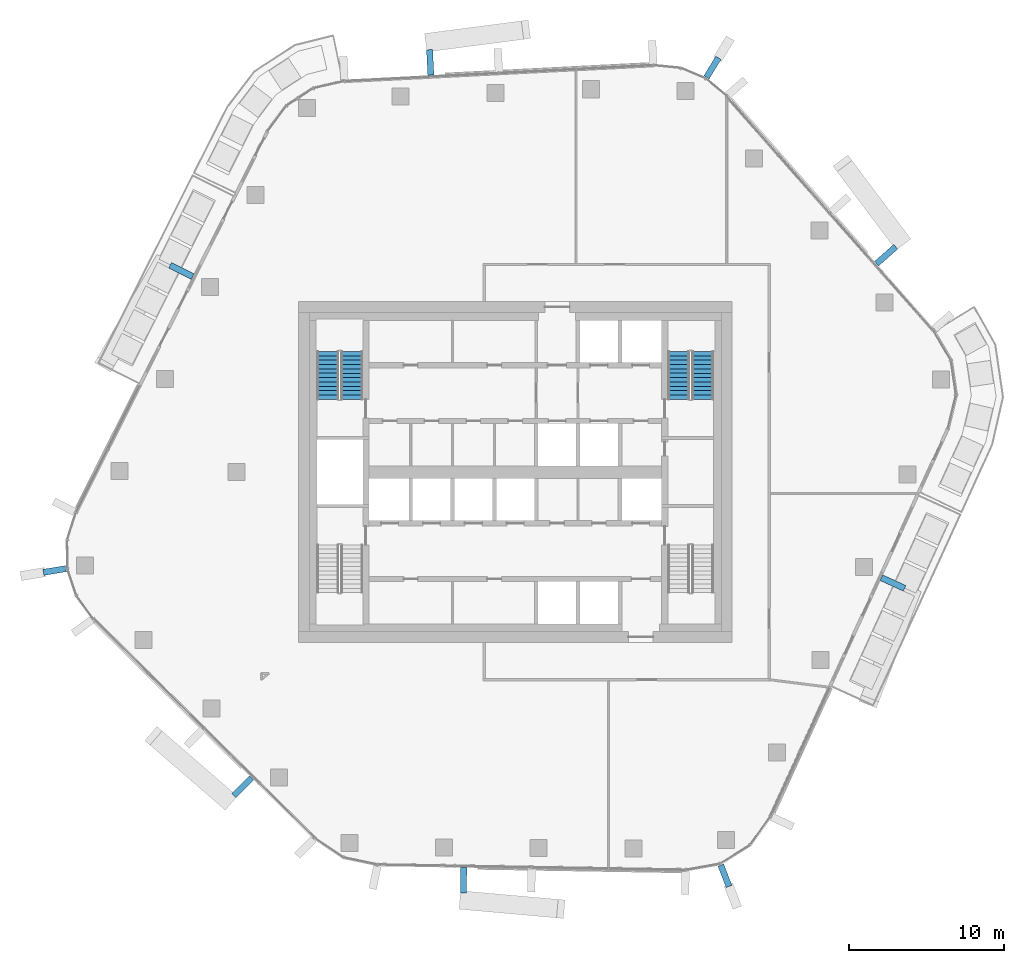
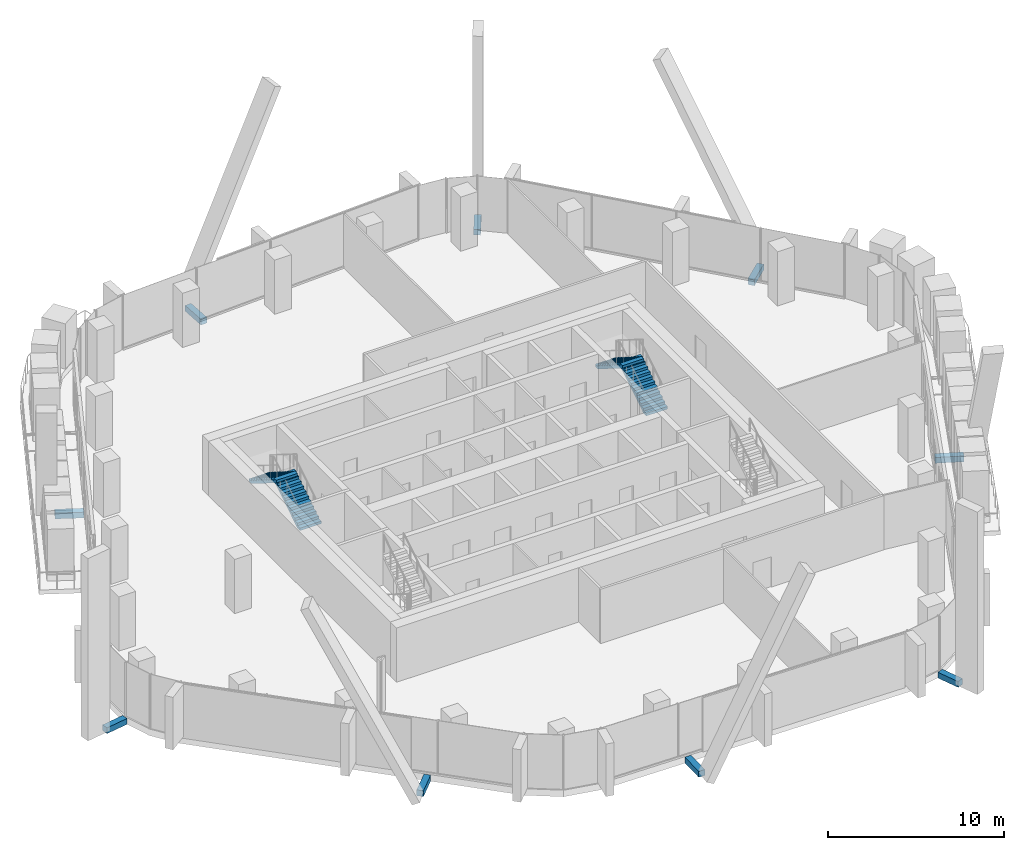
# One storey, part 13 of 20: 9 discrete accessories, 4 stair flights, 2 elements without a shape of their own.
"""IFC4 building model written with IfcOpenShell, lengths in metres."""

from ifc_helpers import new_model, si_unit, direction, frame, origin, origin_2d, place, context, subcontext, project, spatial, polyline, rectangle, outline, extrude, material, layer, layer_set, type_object, element, aggregate, save


model = new_model("IFC4")

# Units and contexts
model_context = context("Model", 3, precision=1e-05, world=origin(), true_north=direction((0.0, 1.0)))
body_context = subcontext(model_context, "Body", "Model", "MODEL_VIEW")
ifc_project = project(units=[si_unit("LENGTHUNIT", "METRE"), si_unit("AREAUNIT", "SQUARE_METRE"), si_unit("VOLUMEUNIT", "CUBIC_METRE"), si_unit("PLANEANGLEUNIT", "RADIAN"), si_unit("MASSUNIT", "GRAM", prefix="KILO")], contexts=[model_context])

# Site, building, storey
site_placement = place(None, origin())
site = spatial("IfcSite", under=ifc_project, at=site_placement, CompositionType="ELEMENT")
building_placement = place(site_placement, origin())
building = spatial("IfcBuilding", under=site, at=building_placement, Name="Dongbaek Canopy Tower", CompositionType="ELEMENT")
storey_placement = place(building_placement, frame((0.0, 0.0, 228.60009765625)))
storey = spatial("IfcBuildingStorey", under=building, at=storey_placement, Name="L47", CompositionType="ELEMENT", Elevation=228.60009765625)

# Stair, stair flights
ifc_material_1 = material(Name="Concrete C40/50", Category="concrete")
stair_type = type_object("IfcStairType", Name="Core exit stair", PredefinedType="HALF_TURN_STAIR", material=ifc_material_1)
stair_1_placement = place(storey_placement, origin())
stair_1 = element("IfcStair", 1, at=stair_1_placement, inside=storey, type_object=stair_type, Name="L47 exit stair A", PredefinedType="HALF_TURN_STAIR")
ifc_material_2 = material(Name="Concrete C40/50", Category="concrete")
ifc_layer = layer(ifc_material_2, 0.14990234375)
ifc_layer_set = layer_set([ifc_layer], Name="Core stair flight 150 waist")
stair_flight_type = type_object("IfcStairFlightType", Name="Core stair flight 150 waist", PredefinedType="STRAIGHT", material=ifc_layer_set)
stair_flight_1_placement = place(storey_placement, frame((12.10009765625, 4.699951171875, 0.0), z_axis=(0.0, 0.0, 1.0), x_axis=(0.0, 1.0, 0.0)))
stair_flight_1 = element("IfcStairFlight", 2, at=stair_flight_1_placement, type_object=stair_flight_type, Name="ST-A flight 1", NumberOfRisers=12, NumberOfTreads=11, PredefinedType="STRAIGHT", RiserHeight=0.175, TreadLength=0.28, context=body_context, shape_type="SweptSolid", body=[
    extrude(outline(polyline([(0.0, 0.0), (0.0, 0.175048828125), (0.280029296875, 0.175048828125), (0.280029296875, 0.35009765625), (0.56005859375, 0.35009765625), (0.56005859375, 0.52490234375), (0.840087890625, 0.52490234375), (0.840087890625, 0.699951171875), (1.1201171875, 0.699951171875), (1.1201171875, 0.875), (1.39990234375, 0.875), (1.39990234375, 1.050048828125), (1.679931640625, 1.050048828125), (1.679931640625, 1.22509765625), (1.9599609375, 1.22509765625), (1.9599609375, 1.39990234375), (2.239990234375, 1.39990234375), (2.239990234375, 1.574951171875), (2.52001953125, 1.574951171875), (2.52001953125, 1.75), (2.800048828125, 1.75), (2.800048828125, 1.925048828125), (3.080078125, 1.925048828125), (3.080078125, 2.10009765625), (3.080078125, 1.748291015625), (0.28271484375, 0.0), (0.0, 0.0)])), frame((0.0, 0.699951171875, 0.0), z_axis=(0.0, -1.0, 0.0), x_axis=(1.0, 0.0, 0.0)), (0.0, 0.0, 1.0), 1.39990234375),
])
stair_flight_2_placement = place(storey_placement, frame((10.550048828125, 7.780029296875, 2.099853515625), z_axis=(0.0, 0.0, 1.0), x_axis=(0.0, -1.0, 0.0)))
stair_flight_2 = element("IfcStairFlight", 3, at=stair_flight_2_placement, type_object=stair_flight_type, Name="ST-A flight 2", NumberOfRisers=12, NumberOfTreads=11, PredefinedType="STRAIGHT", RiserHeight=0.175, TreadLength=0.28, context=body_context, shape_type="SweptSolid", body=[
    extrude(outline(polyline([(0.0, 0.0), (0.0, 0.175048828125), (0.280029296875, 0.175048828125), (0.280029296875, 0.35009765625), (0.56005859375, 0.35009765625), (0.56005859375, 0.52490234375), (0.840087890625, 0.52490234375), (0.840087890625, 0.699951171875), (1.1201171875, 0.699951171875), (1.1201171875, 0.875), (1.39990234375, 0.875), (1.39990234375, 1.050048828125), (1.679931640625, 1.050048828125), (1.679931640625, 1.22509765625), (1.9599609375, 1.22509765625), (1.9599609375, 1.39990234375), (2.239990234375, 1.39990234375), (2.239990234375, 1.574951171875), (2.52001953125, 1.574951171875), (2.52001953125, 1.75), (2.800048828125, 1.75), (2.800048828125, 1.925048828125), (3.080078125, 1.925048828125), (3.080078125, 2.10009765625), (3.080078125, 1.748291015625), (0.28271484375, 0.0), (0.0, 0.0)])), frame((0.0, 0.699951171875, 0.0), z_axis=(0.0, -1.0, 0.0), x_axis=(1.0, 0.0, 0.0)), (0.0, 0.0, 1.0), 1.39990234375),
])
aggregate(stair_1, [stair_flight_1, stair_flight_2])

stair_2_placement = place(storey_placement, origin())
stair_2 = element("IfcStair", 4, at=stair_2_placement, inside=storey, type_object=stair_type, Name="L47 exit stair C", PredefinedType="HALF_TURN_STAIR")
stair_flight_3_placement = place(storey_placement, frame((-10.550048828125, 4.699951171875, 0.0), z_axis=(0.0, 0.0, 1.0), x_axis=(0.0, 1.0, 0.0)))
stair_flight_3 = element("IfcStairFlight", 5, at=stair_flight_3_placement, type_object=stair_flight_type, Name="ST-C flight 1", NumberOfRisers=12, NumberOfTreads=11, PredefinedType="STRAIGHT", RiserHeight=0.175, TreadLength=0.28, context=body_context, shape_type="SweptSolid", body=[
    extrude(outline(polyline([(0.0, 0.0), (0.0, 0.175048828125), (0.280029296875, 0.175048828125), (0.280029296875, 0.35009765625), (0.56005859375, 0.35009765625), (0.56005859375, 0.52490234375), (0.840087890625, 0.52490234375), (0.840087890625, 0.699951171875), (1.1201171875, 0.699951171875), (1.1201171875, 0.875), (1.39990234375, 0.875), (1.39990234375, 1.050048828125), (1.679931640625, 1.050048828125), (1.679931640625, 1.22509765625), (1.9599609375, 1.22509765625), (1.9599609375, 1.39990234375), (2.239990234375, 1.39990234375), (2.239990234375, 1.574951171875), (2.52001953125, 1.574951171875), (2.52001953125, 1.75), (2.800048828125, 1.75), (2.800048828125, 1.925048828125), (3.080078125, 1.925048828125), (3.080078125, 2.10009765625), (3.080078125, 1.748291015625), (0.28271484375, 0.0), (0.0, 0.0)])), frame((0.0, 0.699951171875, 0.0), z_axis=(0.0, -1.0, 0.0), x_axis=(1.0, 0.0, 0.0)), (0.0, 0.0, 1.0), 1.39990234375),
])
stair_flight_4_placement = place(storey_placement, frame((-12.10009765625, 7.780029296875, 2.099853515625), z_axis=(0.0, 0.0, 1.0), x_axis=(0.0, -1.0, 0.0)))
stair_flight_4 = element("IfcStairFlight", 6, at=stair_flight_4_placement, type_object=stair_flight_type, Name="ST-C flight 2", NumberOfRisers=12, NumberOfTreads=11, PredefinedType="STRAIGHT", RiserHeight=0.175, TreadLength=0.28, context=body_context, shape_type="SweptSolid", body=[
    extrude(outline(polyline([(0.0, 0.0), (0.0, 0.175048828125), (0.280029296875, 0.175048828125), (0.280029296875, 0.35009765625), (0.56005859375, 0.35009765625), (0.56005859375, 0.52490234375), (0.840087890625, 0.52490234375), (0.840087890625, 0.699951171875), (1.1201171875, 0.699951171875), (1.1201171875, 0.875), (1.39990234375, 0.875), (1.39990234375, 1.050048828125), (1.679931640625, 1.050048828125), (1.679931640625, 1.22509765625), (1.9599609375, 1.22509765625), (1.9599609375, 1.39990234375), (2.239990234375, 1.39990234375), (2.239990234375, 1.574951171875), (2.52001953125, 1.574951171875), (2.52001953125, 1.75), (2.800048828125, 1.75), (2.800048828125, 1.925048828125), (3.080078125, 1.925048828125), (3.080078125, 2.10009765625), (3.080078125, 1.748291015625), (0.28271484375, 0.0), (0.0, 0.0)])), frame((0.0, 0.699951171875, 0.0), z_axis=(0.0, -1.0, 0.0), x_axis=(1.0, 0.0, 0.0)), (0.0, 0.0, 1.0), 1.39990234375),
])
aggregate(stair_2, [stair_flight_3, stair_flight_4])

# Discrete accessories
ifc_material_3 = material(Name="Galvanised steel S355 bracket", Category="steel")
discrete_accessory_type = type_object("IfcDiscreteAccessoryType", Name="Crease fin bracket BR3 400", PredefinedType="BRACKET", material=ifc_material_3)
discrete_accessory_1_placement = place(storey_placement, frame((23.939453125, 14.000244140625, -0.425048828125), z_axis=(0.0, 0.0, 1.0), x_axis=(0.749829375126, 0.6616312479, 0.0)))
element("IfcDiscreteAccessory", 7, at=discrete_accessory_1_placement, inside=storey, type_object=discrete_accessory_type, Name="Crease fin bracket L47 F0", PredefinedType="BRACKET", context=body_context, shape_type="SweptSolid", body=[
    extrude(rectangle(XDim=1.652587890625, YDim=0.39990234375, at=origin_2d()), origin(), (0.0, 0.0, 1.0), 0.39990234375),
])
discrete_accessory_2_placement = place(storey_placement, frame((-5.494384765625, 26.44482421875, -0.425048828125), z_axis=(0.0, 0.0, 1.0), x_axis=(-0.051171638795, 0.998689873476, 0.0)))
element("IfcDiscreteAccessory", 8, at=discrete_accessory_2_placement, inside=storey, type_object=discrete_accessory_type, Name="Crease fin bracket L47 F1", PredefinedType="BRACKET", context=body_context, shape_type="SweptSolid", body=[
    extrude(rectangle(XDim=1.64599609375, YDim=0.39990234375, at=origin_2d()), origin(), (0.0, 0.0, 1.0), 0.39990234375),
])
discrete_accessory_3_placement = place(storey_placement, frame((-21.55859375, 12.984619140625, -0.425048828125), z_axis=(0.0, 0.0, 1.0), x_axis=(-0.893577541326, 0.448908874536, 0.0)))
element("IfcDiscreteAccessory", 9, at=discrete_accessory_3_placement, inside=storey, type_object=discrete_accessory_type, Name="Crease fin bracket L47 F2", PredefinedType="BRACKET", context=body_context, shape_type="SweptSolid", body=[
    extrude(rectangle(XDim=1.640380859375, YDim=0.39990234375, at=origin_2d()), origin(), (0.0, 0.0, 1.0), 0.39990234375),
])
discrete_accessory_4_placement = place(storey_placement, frame((-17.59521484375, -20.31005859375, -0.425048828125), z_axis=(0.0, 0.0, 1.0), x_axis=(-0.704038274708, -0.71016202922, 0.0)))
element("IfcDiscreteAccessory", 10, at=discrete_accessory_4_placement, inside=storey, type_object=discrete_accessory_type, Name="Crease fin bracket L47 F3", PredefinedType="BRACKET", context=body_context, shape_type="SweptSolid", body=[
    extrude(rectangle(XDim=1.6201171875, YDim=0.39990234375, at=origin_2d()), origin(), (0.0, 0.0, 1.0), 0.39990234375),
])
discrete_accessory_5_placement = place(storey_placement, frame((-3.341552734375, -26.349365234375, -0.425048828125), z_axis=(0.0, 0.0, 1.0), x_axis=(-0.016993452933, -0.999855600853, 0.0)))
element("IfcDiscreteAccessory", 11, at=discrete_accessory_5_placement, inside=storey, type_object=discrete_accessory_type, Name="Crease fin bracket L47 F4", PredefinedType="BRACKET", context=body_context, shape_type="SweptSolid", body=[
    extrude(rectangle(XDim=1.62548828125, YDim=0.39990234375, at=origin_2d()), origin(), (0.0, 0.0, 1.0), 0.39990234375),
])
discrete_accessory_6_placement = place(storey_placement, frame((24.380615234375, -7.1630859375, -0.425048828125), z_axis=(0.0, 0.0, 1.0), x_axis=(0.909313107473, -0.416112572001, 0.0)))
element("IfcDiscreteAccessory", 12, at=discrete_accessory_6_placement, inside=storey, type_object=discrete_accessory_type, Name="Crease fin bracket L47 F5", PredefinedType="BRACKET", context=body_context, shape_type="SweptSolid", body=[
    extrude(rectangle(XDim=1.651123046875, YDim=0.39990234375, at=origin_2d()), origin(), (0.0, 0.0, 1.0), 0.39990234375),
])
for number, where, z_axis, x_axis, name in (
    (13, (12.7275390625, 26.114990234375, -0.425048828125), (0.0, 0.0, 1.0), (0.521099012614, 0.853496232594, 0.0), "Corner fin bracket L47 K1"),
    (14, (-29.7421875, -6.354736328125, -0.425048828125), (0.0, 0.0, 1.0), (-0.98689179442, -0.161383351389, 0.0), "Corner fin bracket L47 K3"),
    (15, (13.53076171875, -26.062255859375, -0.425048828125), (0.0, 0.0, 1.0), (0.360882446959, -0.932611312111, 0.0), "Corner fin bracket L47 K5"),
):
    element("IfcDiscreteAccessory", number, at=place(storey_placement, frame(where, z_axis=z_axis, x_axis=x_axis)), inside=storey, type_object=discrete_accessory_type, Name=name, PredefinedType="BRACKET", context=body_context, shape_type="SweptSolid", body=[
        extrude(rectangle(XDim=1.469970703125, YDim=0.39990234375, at=origin_2d()), origin(), (0.0, 0.0, 1.0), 0.39990234375),
    ])

save(model, "model.ifc")
